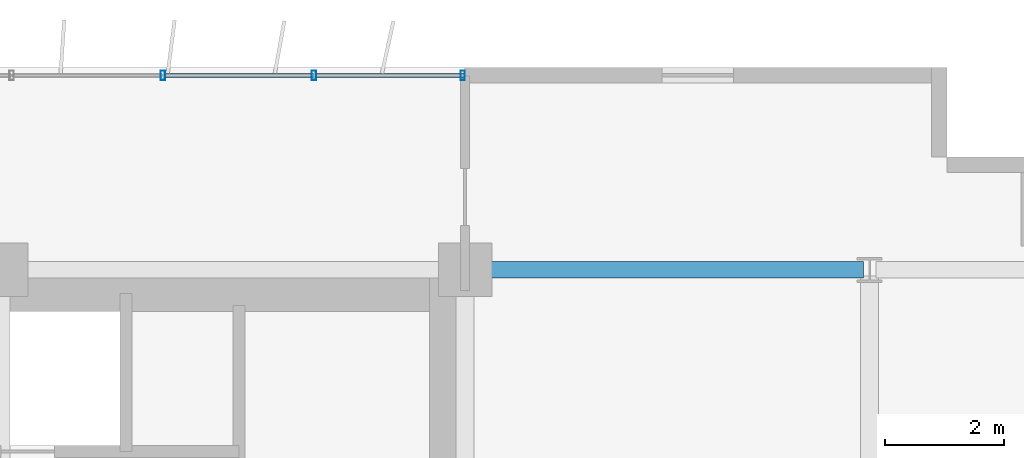
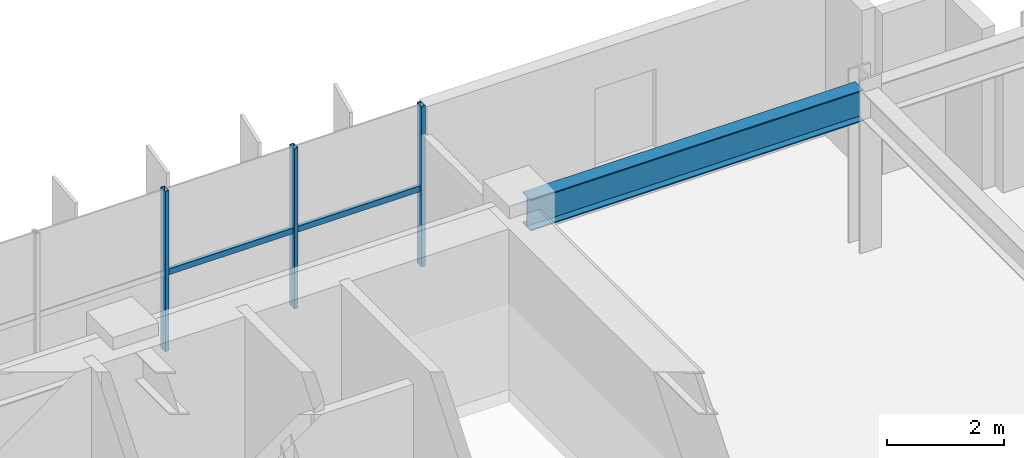
# One storey, part 12 of 21: 5 members, 1 beam, 1 element without a shape of its own.
"""IFC4 building model written with IfcOpenShell, lengths in metres."""

from ifc_helpers import new_model, si_unit, direction, frame, origin, origin_2d, place, context, subcontext, project, spatial, hollow_rectangle, i_section, extrude, source, transform, mapped, material, material_profile, profile_set, type_object, element, aggregate, save


model = new_model("IFC4")

# Units and contexts
model_context = context("Model", 3, precision=1e-05, world=origin(), true_north=direction((0.0, 1.0)))
body_context = subcontext(model_context, "Body", "Model", "MODEL_VIEW")
ifc_project = project(units=[si_unit("LENGTHUNIT", "METRE"), si_unit("AREAUNIT", "SQUARE_METRE"), si_unit("VOLUMEUNIT", "CUBIC_METRE"), si_unit("PLANEANGLEUNIT", "RADIAN"), si_unit("MASSUNIT", "GRAM", prefix="KILO")], contexts=[model_context])

# Site, building, storey
site_placement = place(None, origin())
site = spatial("IfcSite", under=ifc_project, at=site_placement, CompositionType="ELEMENT")
building_placement = place(site_placement, origin())
building = spatial("IfcBuilding", under=site, at=building_placement, Name="Trelvane Seafront Commons", CompositionType="ELEMENT")
storey_placement = place(building_placement, frame((0.0, 0.0, 41.5)))
storey = spatial("IfcBuildingStorey", under=building, at=storey_placement, Name="L10", CompositionType="ELEMENT", Elevation=41.5)

# Beam
ifc_material_1 = material(Name="Steel SM355 (S355)", Category="steel")
ifc_material_profile_1 = material_profile(ifc_material_1, i_section(OverallWidth=0.280029296875, OverallDepth=0.64990234375, WebThickness=0.012939453125, FlangeThickness=0.02197265625, at=origin_2d()), Name="H-650x280x13x22")
ifc_profile_set_1 = profile_set([ifc_material_profile_1], Name="Steel SM355 (S355)")
beam_type = type_object("IfcBeamType", Name="STR-BM-H650", PredefinedType="BEAM", material=ifc_profile_set_1)
shared_shape_1 = source(origin(), body_context, "Body", "SweptSolid", [
    extrude(i_section(OverallWidth=0.280029296875, OverallDepth=0.64990234375, WebThickness=0.012939453125, FlangeThickness=0.02197265625, at=origin_2d()), origin(), (0.0, 0.0, 1.0), 6.545166015625),
])
beam_placement = place(storey_placement, frame((58.949951171875, 45.10009765625, 3.014892578125), z_axis=(1.0, 0.0, 0.0), x_axis=(0.0, 1.0, 0.0)))
element("IfcBeam", 1, at=beam_placement, inside=storey, type_object=beam_type, Name="L10 Primary Girder G-35", PredefinedType="BEAM", context=body_context, shape_type="MappedRepresentation", body=[
    mapped(shared_shape_1, transform((0.0, 0.0, 0.0), x_axis=(1.0, 0.0, 0.0), y_axis=(0.0, 1.0, 0.0), z_axis=(0.0, 0.0, 1.0), scale=1.0)),
])

# Curtain wall, members
ifc_material_2 = material(Name="Anodised pale-silver aluminium", Category="aluminium")
curtain_wall_type = type_object("IfcCurtainWallType", Name="ARCH-CW2-LOWTOWER", PredefinedType="NOTDEFINED", material=ifc_material_2)
curtain_wall_placement = place(storey_placement, origin())
curtain_wall = element("IfcCurtainWall", 2, at=curtain_wall_placement, inside=storey, type_object=curtain_wall_type, Name="CW-L10-0034", PredefinedType="NOTDEFINED")
ifc_material_profile_2 = material_profile(ifc_material_2, hollow_rectangle(XDim=0.074951171875, YDim=0.159912109375, WallThickness=0.00390625, at=origin_2d()), Name="MULL-75x160x4")
ifc_profile_set_2 = profile_set([ifc_material_profile_2], Name="Anodised pale-silver aluminium")
member_type_1 = type_object("IfcMemberType", Name="ARCH-CW-MULL-160", PredefinedType="MULLION", material=ifc_profile_set_2)
shared_shape_2 = source(origin(), body_context, "Body", "SweptSolid", [
    extrude(hollow_rectangle(XDim=0.074951171875, YDim=0.159912109375, WallThickness=0.00390625, at=origin_2d()), origin(), (0.0, 0.0, 1.0), 3.340087890625),
])
member_1_placement = place(storey_placement, frame((53.717529296875, 48.3701171875, 0.0), z_axis=(0.0, 0.0, 1.0), x_axis=(1.0, 0.0, 0.0)))
member_1 = element("IfcMember", 3, at=member_1_placement, type_object=member_type_1, Name="CW-L10-0034-M15", PredefinedType="MULLION", context=body_context, shape_type="MappedRepresentation", body=[
    mapped(shared_shape_2, transform((0.0, 0.0, 0.0), x_axis=(1.0, 0.0, 0.0), y_axis=(0.0, 1.0, 0.0), z_axis=(0.0, 0.0, 1.0), scale=1.0)),
])
member_2_placement = place(storey_placement, frame((56.2587890625, 48.3701171875, 0.0), z_axis=(0.0, 0.0, 1.0), x_axis=(1.0, 0.0, 0.0)))
member_2 = element("IfcMember", 4, at=member_2_placement, type_object=member_type_1, Name="CW-L10-0034-M16", PredefinedType="MULLION", context=body_context, shape_type="MappedRepresentation", body=[
    mapped(shared_shape_2, transform((0.0, 0.0, 0.0), x_axis=(1.0, 0.0, 0.0), y_axis=(0.0, 1.0, 0.0), z_axis=(0.0, 0.0, 1.0), scale=1.0)),
])
member_3_placement = place(storey_placement, frame((58.760009765625, 48.3701171875, 0.0), z_axis=(0.0, 0.0, 1.0), x_axis=(1.0, 0.0, 0.0)))
member_3 = element("IfcMember", 5, at=member_3_placement, type_object=member_type_1, Name="CW-L10-0034-M17", PredefinedType="MULLION", context=body_context, shape_type="MappedRepresentation", body=[
    mapped(shared_shape_2, transform((0.0, 0.0, 0.0), x_axis=(1.0, 0.0, 0.0), y_axis=(0.0, 1.0, 0.0), z_axis=(0.0, 0.0, 1.0), scale=1.0)),
])
ifc_material_profile_3 = material_profile(ifc_material_2, hollow_rectangle(XDim=0.070068359375, YDim=0.1201171875, WallThickness=0.00390625, at=origin_2d()), Name="TRAN-70x120x4")
ifc_profile_set_3 = profile_set([ifc_material_profile_3], Name="Anodised pale-silver aluminium")
member_type_2 = type_object("IfcMemberType", Name="ARCH-CW-TRAN-120", PredefinedType="USERDEFINED", material=ifc_profile_set_3)
shared_shape_3 = source(origin(), body_context, "Body", "SweptSolid", [
    extrude(hollow_rectangle(XDim=0.070068359375, YDim=0.1201171875, WallThickness=0.00390625, at=origin_2d()), origin(), (0.0, 0.0, 1.0), 2.517333984375),
])
member_4_placement = place(storey_placement, frame((53.7294921875, 48.3701171875, 1.60302734375), z_axis=(1.0, 0.0, 0.0), x_axis=(0.0, 1.0, 0.0)))
member_4 = element("IfcMember", 6, at=member_4_placement, type_object=member_type_2, Name="CW-L10-0034-T15", ObjectType="TRANSOM", PredefinedType="USERDEFINED", context=body_context, shape_type="MappedRepresentation", body=[
    mapped(shared_shape_3, transform((0.0, 0.0, 0.0), x_axis=(1.0, 0.0, 0.0), y_axis=(0.0, 1.0, 0.0), z_axis=(0.0, 0.0, 1.0), scale=1.0)),
])
member_5_placement = place(storey_placement, frame((56.270751953125, 48.3701171875, 1.60302734375), z_axis=(1.0, 0.0, 0.0), x_axis=(0.0, 1.0, 0.0)))
member_5 = element("IfcMember", 7, at=member_5_placement, type_object=member_type_2, Name="CW-L10-0034-T16", ObjectType="TRANSOM", PredefinedType="USERDEFINED", context=body_context, shape_type="MappedRepresentation", body=[
    mapped(shared_shape_3, transform((0.0, 0.0, 0.0), x_axis=(1.0, 0.0, 0.0), y_axis=(0.0, 1.0, 0.0), z_axis=(0.0, 0.0, 1.0), scale=1.0)),
])
aggregate(curtain_wall, [member_1, member_2, member_3, member_4, member_5])

save(model, "model.ifc")
